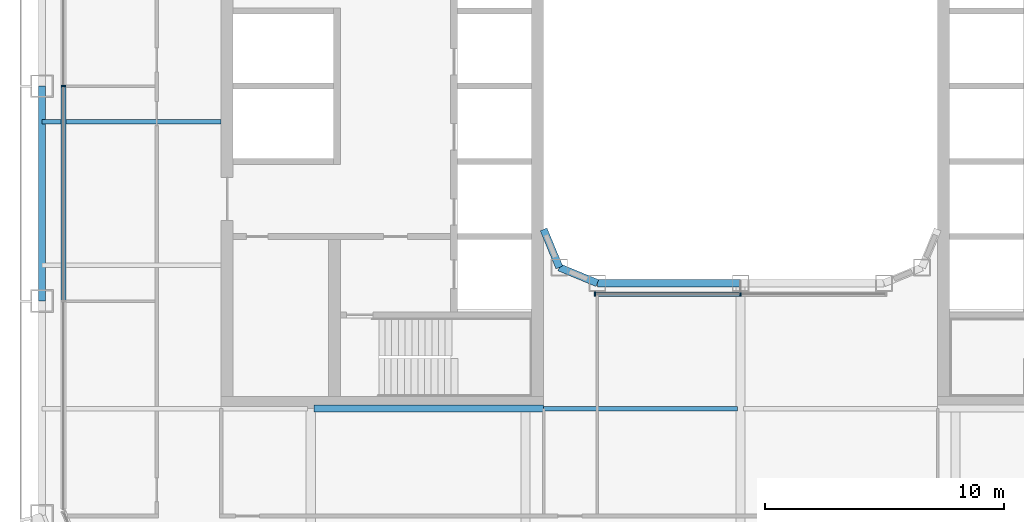
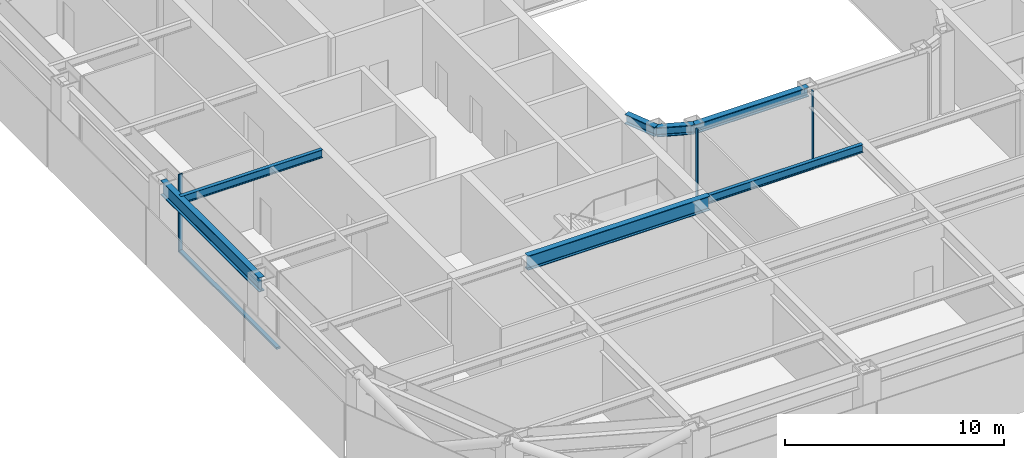
# One storey, part 3 of 21: 7 beams, 5 members, 2 elements without a shape of their own.
"""IFC4 building model written with IfcOpenShell, lengths in metres."""

from ifc_helpers import new_model, si_unit, direction, frame, origin, origin_2d, place, context, subcontext, project, spatial, rectangle, i_section, extrude, material, layer, layer_set, material_profile, profile_set, type_object, element, aggregate, save


model = new_model("IFC4")

# Units and contexts
model_context = context("Model", 3, precision=1e-05, world=origin(), true_north=direction((0.0, 1.0)))
body_context = subcontext(model_context, "Body", "Model", "MODEL_VIEW")
ifc_project = project(units=[si_unit("LENGTHUNIT", "METRE"), si_unit("AREAUNIT", "SQUARE_METRE"), si_unit("VOLUMEUNIT", "CUBIC_METRE"), si_unit("PLANEANGLEUNIT", "RADIAN"), si_unit("MASSUNIT", "GRAM", prefix="KILO")], contexts=[model_context])

# Site, building, storey
site_placement = place(None, origin())
site = spatial("IfcSite", under=ifc_project, at=site_placement, CompositionType="ELEMENT")
building_placement = place(site_placement, origin())
building = spatial("IfcBuilding", under=site, at=building_placement, Name="Siwar Civic Tower", CompositionType="ELEMENT")
storey_placement = place(building_placement, frame((0.0, 0.0, 122.699951171875)))
storey = spatial("IfcBuildingStorey", under=building, at=storey_placement, Name="L26", CompositionType="ELEMENT", Elevation=122.699951171875)

# Curtain wall, member
ifc_material_1 = material(Name="Aluminium and glass", Category="aluminium")
ifc_layer_1 = layer(ifc_material_1, 0.199951171875)
ifc_layer_set_1 = layer_set([ifc_layer_1], Name="Aluminium and glass")
curtain_wall_type_1 = type_object("IfcCurtainWallType", Name="ENV-CW-B", PredefinedType="NOTDEFINED", material=ifc_layer_set_1)
curtain_wall_1_placement = place(storey_placement, origin())
curtain_wall_1 = element("IfcCurtainWall", 1, at=curtain_wall_1_placement, inside=storey, type_object=curtain_wall_type_1, Name="Curtain wall B W", PredefinedType="NOTDEFINED")
ifc_material_2 = material(Name="Aluminium 6063-T6", Category="aluminium")
ifc_material_profile_1 = material_profile(ifc_material_2, rectangle(XDim=0.199951171875, YDim=0.06494140625, at=origin_2d()), Name="AL 200x65")
ifc_profile_set_1 = profile_set([ifc_material_profile_1], Name="Aluminium 6063-T6")
member_type_1 = type_object("IfcMemberType", Name="ENV-MULLION-B", PredefinedType="MULLION", material=ifc_profile_set_1)
member_1_placement = place(storey_placement, frame((-28.35009765625, 0.0, 0.0), z_axis=(0.0, 0.0, 1.0), x_axis=(1.0, 0.0, 0.0)))
member_1 = element("IfcMember", 2, at=member_1_placement, type_object=member_type_1, Name="Mullion B W 3", PredefinedType="MULLION", context=body_context, shape_type="SweptSolid", body=[
    extrude(rectangle(XDim=0.199951171875, YDim=0.06494140625, at=origin_2d()), origin(), (0.0, 0.0, 1.0), 4.35009765625),
])

# Curtain wall, members
ifc_material_3 = material(Name="Aluminium and glass", Category="aluminium")
ifc_layer_2 = layer(ifc_material_3, 0.179931640625)
ifc_layer_set_2 = layer_set([ifc_layer_2], Name="Aluminium and glass")
curtain_wall_type_2 = type_object("IfcCurtainWallType", Name="ENV-CW-W", PredefinedType="NOTDEFINED", material=ifc_layer_set_2)
curtain_wall_2_placement = place(storey_placement, origin())
curtain_wall_2 = element("IfcCurtainWall", 3, at=curtain_wall_2_placement, inside=storey, type_object=curtain_wall_type_2, Name="Curtain wall W WS", PredefinedType="NOTDEFINED")
ifc_material_4 = material(Name="Aluminium 6063-T6", Category="aluminium")
ifc_material_profile_2 = material_profile(ifc_material_4, rectangle(XDim=0.179931640625, YDim=0.06005859375, at=origin_2d()), Name="AL 180x60")
ifc_profile_set_2 = profile_set([ifc_material_profile_2], Name="Aluminium 6063-T6")
member_type_2 = type_object("IfcMemberType", Name="ENV-MULLION-W", PredefinedType="MULLION", material=ifc_profile_set_2)
member_2_placement = place(storey_placement, frame((-6.091552734375, -8.7099609375, 0.0), z_axis=(0.0, 0.0, 1.0), x_axis=(0.0, 1.0, 0.0)))
member_2 = element("IfcMember", 4, at=member_2_placement, type_object=member_type_2, Name="Mullion W WS 1", PredefinedType="MULLION", context=body_context, shape_type="SweptSolid", body=[
    extrude(rectangle(XDim=0.179931640625, YDim=0.06005859375, at=origin_2d()), origin(), (0.0, 0.0, 1.0), 4.35009765625),
])
member_3_placement = place(storey_placement, frame((0.0, -8.7099609375, 0.0), z_axis=(0.0, 0.0, 1.0), x_axis=(0.0, 1.0, 0.0)))
member_3 = element("IfcMember", 5, at=member_3_placement, type_object=member_type_2, Name="Mullion W WS 2", PredefinedType="MULLION", context=body_context, shape_type="SweptSolid", body=[
    extrude(rectangle(XDim=0.179931640625, YDim=0.06005859375, at=origin_2d()), origin(), (0.0, 0.0, 1.0), 4.35009765625),
])

# Member
ifc_material_5 = material(Name="Aluminium 6063-T6", Category="aluminium")
ifc_material_profile_3 = material_profile(ifc_material_5, rectangle(XDim=0.199951171875, YDim=0.110107421875, at=origin_2d()), Name="AL 200x110")
ifc_profile_set_3 = profile_set([ifc_material_profile_3], Name="Aluminium 6063-T6")
member_type_3 = type_object("IfcMemberType", Name="ENV-TRANSOM-B", PredefinedType="USERDEFINED", material=ifc_profile_set_3)
member_4_placement = place(storey_placement, frame((-28.35009765625, -0.032470703125, 0.054931640625), z_axis=(0.0, -1.0, 0.0), x_axis=(1.0, 0.0, 0.0)))
member_4 = element("IfcMember", 6, at=member_4_placement, type_object=member_type_3, Name="Transom B W 3", ObjectType="TRANSOM", PredefinedType="USERDEFINED", context=body_context, shape_type="SweptSolid", body=[
    extrude(rectangle(XDim=0.199951171875, YDim=0.110107421875, at=origin_2d()), origin(), (0.0, 0.0, 1.0), 8.93505859375),
])

aggregate(curtain_wall_1, [member_1, member_4])

ifc_material_6 = material(Name="Aluminium 6063-T6", Category="aluminium")
ifc_material_profile_4 = material_profile(ifc_material_6, rectangle(XDim=0.179931640625, YDim=0.10009765625, at=origin_2d()), Name="AL 180x100")
ifc_profile_set_4 = profile_set([ifc_material_profile_4], Name="Aluminium 6063-T6")
member_type_4 = type_object("IfcMemberType", Name="ENV-TRANSOM-W", PredefinedType="USERDEFINED", material=ifc_profile_set_4)
member_5_placement = place(storey_placement, frame((-6.0615234375, -8.7099609375, 0.050048828125), z_axis=(1.0, 0.0, 0.0), x_axis=(0.0, 1.0, 0.0)))
member_5 = element("IfcMember", 7, at=member_5_placement, type_object=member_type_4, Name="Transom W WS 1", ObjectType="TRANSOM", PredefinedType="USERDEFINED", context=body_context, shape_type="SweptSolid", body=[
    extrude(rectangle(XDim=0.179931640625, YDim=0.10009765625, at=origin_2d()), origin(), (0.0, 0.0, 1.0), 6.031494140625),
])

aggregate(curtain_wall_2, [member_2, member_3, member_5])

# Beams
ifc_material_7 = material(Name="Steel S355", Category="steel")
ifc_material_profile_5 = material_profile(ifc_material_7, i_section(OverallWidth=0.18994140625, OverallDepth=0.449951171875, WebThickness=0.009521484375, FlangeThickness=0.0146484375, FilletRadius=0.02099609375, at=origin_2d()), Name="IPE450")
ifc_profile_set_5 = profile_set([ifc_material_profile_5], Name="Steel S355")
beam_type_1 = type_object("IfcBeamType", Name="STR-FB-IPE450", PredefinedType="JOIST", material=ifc_profile_set_5)
beam_1_placement = place(storey_placement, frame((-8.25, -13.5, 4.125), z_axis=(1.0, 0.0, 0.0), x_axis=(0.0, 1.0, 0.0)))
element("IfcBeam", 8, at=beam_1_placement, inside=storey, type_object=beam_type_1, Name="L26/bm/F016", PredefinedType="JOIST", context=body_context, shape_type="SweptSolid", body=[
    extrude(i_section(OverallWidth=0.18994140625, OverallDepth=0.449951171875, WebThickness=0.009521484375, FlangeThickness=0.0146484375, FilletRadius=0.02099609375, at=origin_2d()), origin(), (0.0, 0.0, 1.0), 8.1201171875),
])
beam_2_placement = place(storey_placement, frame((-29.25, -1.5, 4.125), z_axis=(1.0, 0.0, 0.0), x_axis=(0.0, 1.0, 0.0)))
element("IfcBeam", 9, at=beam_2_placement, inside=storey, type_object=beam_type_1, Name="L26/bm/F023", PredefinedType="JOIST", context=body_context, shape_type="SweptSolid", body=[
    extrude(i_section(OverallWidth=0.18994140625, OverallDepth=0.449951171875, WebThickness=0.009521484375, FlangeThickness=0.0146484375, FilletRadius=0.02099609375, at=origin_2d()), origin(), (0.0, 0.0, 1.0), 7.5),
])
ifc_material_8 = material(Name="Steel S355", Category="steel")
ifc_material_profile_6 = material_profile(ifc_material_8, i_section(OverallWidth=0.300048828125, OverallDepth=0.800048828125, WebThickness=0.017578125, FlangeThickness=0.032958984375, FilletRadius=0.030029296875, at=origin_2d()), Name="HEB800")
ifc_profile_set_6 = profile_set([ifc_material_profile_6], Name="Steel S355")
beam_type_2 = type_object("IfcBeamType", Name="STR-PG-HEB800", PredefinedType="BEAM", material=ifc_profile_set_6)
beam_3_placement = place(storey_placement, frame((-17.8701171875, -13.5, 3.949951171875), z_axis=(1.0, 0.0, 0.0), x_axis=(0.0, 1.0, 0.0)))
element("IfcBeam", 10, at=beam_3_placement, inside=storey, type_object=beam_type_2, Name="L26/bm/F015", PredefinedType="BEAM", context=body_context, shape_type="SweptSolid", body=[
    extrude(i_section(OverallWidth=0.300048828125, OverallDepth=0.800048828125, WebThickness=0.017578125, FlangeThickness=0.032958984375, FilletRadius=0.030029296875, at=origin_2d()), origin(), (0.0, 0.0, 1.0), 9.6201171875),
])
ifc_material_9 = material(Name="Steel S355", Category="steel")
ifc_material_profile_7 = material_profile(ifc_material_9, i_section(OverallWidth=0.305908203125, OverallDepth=0.52392578125, WebThickness=0.02099609375, FlangeThickness=0.0400390625, FilletRadius=0.027099609375, at=origin_2d()), Name="HEM500")
ifc_profile_set_7 = profile_set([ifc_material_profile_7], Name="Steel S355")
beam_type_3 = type_object("IfcBeamType", Name="STR-RB-HEM500", PredefinedType="BEAM", material=ifc_profile_set_7)
beam_4_placement = place(storey_placement, frame((-7.591064453125, -7.591064453125, 4.088134765625), z_axis=(0.923901072997, -0.382631424892, 0.0), x_axis=(0.382631424892, 0.923901072997, 0.0)))
element("IfcBeam", 11, at=beam_4_placement, inside=storey, type_object=beam_type_3, Name="L26/bm/RS0", PredefinedType="BEAM", context=body_context, shape_type="SweptSolid", body=[
    extrude(i_section(OverallWidth=0.305908203125, OverallDepth=0.52392578125, WebThickness=0.02099609375, FlangeThickness=0.0400390625, FilletRadius=0.027099609375, at=origin_2d()), origin(), (0.0, 0.0, 1.0), 1.72216796875),
])
beam_5_placement = place(storey_placement, frame((-6.0, -8.25, 4.088134765625), z_axis=(1.0, 0.0, 0.0), x_axis=(0.0, 1.0, 0.0)))
element("IfcBeam", 12, at=beam_5_placement, inside=storey, type_object=beam_type_3, Name="L26/bm/RS1", PredefinedType="BEAM", context=body_context, shape_type="SweptSolid", body=[
    extrude(i_section(OverallWidth=0.305908203125, OverallDepth=0.52392578125, WebThickness=0.02099609375, FlangeThickness=0.0400390625, FilletRadius=0.027099609375, at=origin_2d()), origin(), (0.0, 0.0, 1.0), 6.0),
])
beam_6_placement = place(storey_placement, frame((-7.591064453125, -7.591064453125, 4.088134765625), z_axis=(-0.382631424892, 0.923901072997, 0.0), x_axis=(-0.923901072997, -0.382631424892, 0.0)))
element("IfcBeam", 13, at=beam_6_placement, inside=storey, type_object=beam_type_3, Name="L26/bm/RSEW", PredefinedType="BEAM", context=body_context, shape_type="SweptSolid", body=[
    extrude(i_section(OverallWidth=0.305908203125, OverallDepth=0.52392578125, WebThickness=0.02099609375, FlangeThickness=0.0400390625, FilletRadius=0.027099609375, at=origin_2d()), origin(), (0.0, 0.0, 1.0), 1.72216796875),
])
ifc_material_10 = material(Name="Steel S355", Category="steel")
ifc_material_profile_8 = material_profile(ifc_material_10, i_section(OverallWidth=0.300048828125, OverallDepth=0.800048828125, WebThickness=0.017578125, FlangeThickness=0.032958984375, FilletRadius=0.030029296875, at=origin_2d()), Name="HEB800")
ifc_profile_set_8 = profile_set([ifc_material_profile_8], Name="Steel S355")
beam_type_4 = type_object("IfcBeamType", Name="STR-SB-HEB800", PredefinedType="BEAM", material=ifc_profile_set_8)
beam_7_placement = place(storey_placement, frame((-29.25, 0.0, 3.949951171875), z_axis=(0.0, -1.0, 0.0), x_axis=(1.0, 0.0, 0.0)))
element("IfcBeam", 14, at=beam_7_placement, inside=storey, type_object=beam_type_4, Name="L26/bm/SW-2", PredefinedType="BEAM", context=body_context, shape_type="SweptSolid", body=[
    extrude(i_section(OverallWidth=0.300048828125, OverallDepth=0.800048828125, WebThickness=0.017578125, FlangeThickness=0.032958984375, FilletRadius=0.030029296875, at=origin_2d()), origin(), (0.0, 0.0, 1.0), 9.0),
])

save(model, "model.ifc")
